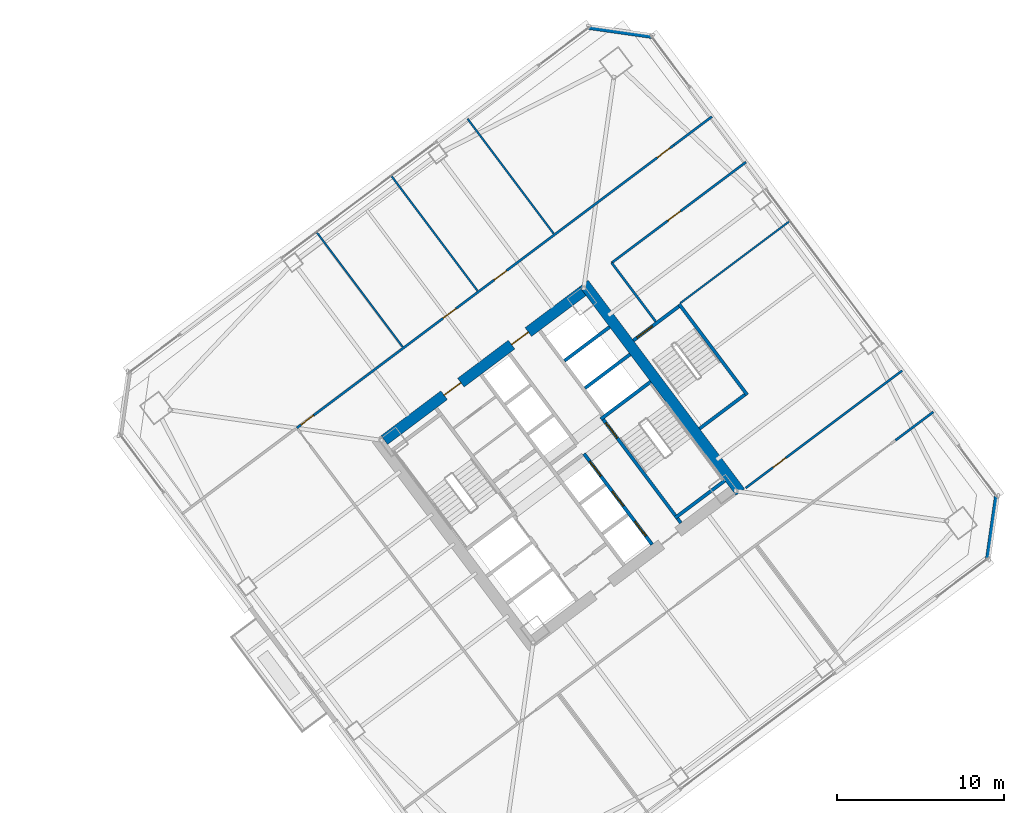
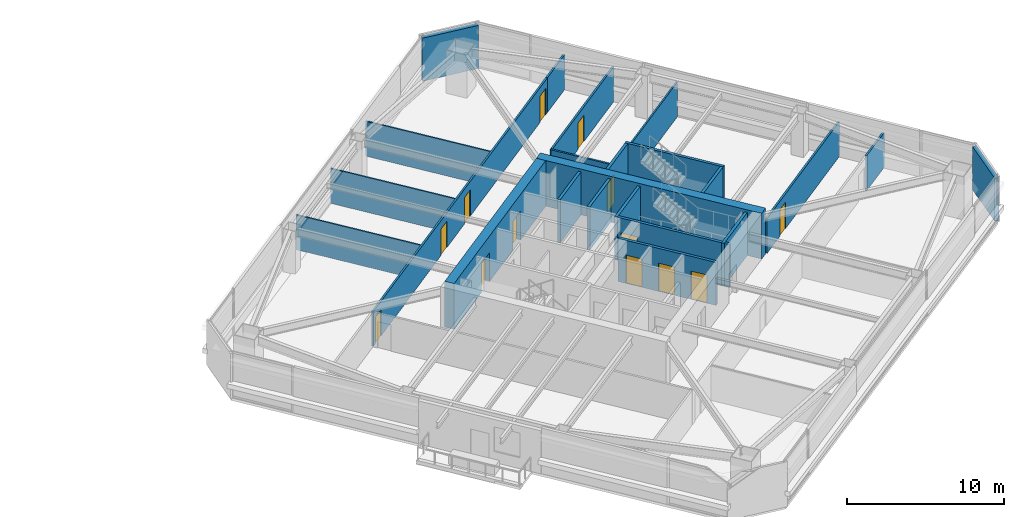
# One storey, part 36 of 44: 23 walls, 13 doors, 13 openings.
"""IFC4 building model written with IfcOpenShell, lengths in metres."""

from ifc_helpers import new_model, si_unit, direction, frame, frame_2d, origin, place, context, subcontext, project, spatial, rectangle, extrude, material, layer, layer_set, type_object, element, fill, save


model = new_model("IFC4")

# Units and contexts
model_context = context("Model", 3, precision=1e-05, world=origin(), true_north=direction((0.0, 1.0)))
body_context = subcontext(model_context, "Body", "Model", "MODEL_VIEW")
ifc_project = project(units=[si_unit("LENGTHUNIT", "METRE"), si_unit("AREAUNIT", "SQUARE_METRE"), si_unit("VOLUMEUNIT", "CUBIC_METRE"), si_unit("PLANEANGLEUNIT", "RADIAN"), si_unit("MASSUNIT", "GRAM", prefix="KILO")], contexts=[model_context])

# Site, building, storey
site_placement = place(None, origin())
site = spatial("IfcSite", under=ifc_project, at=site_placement, CompositionType="ELEMENT")
building_placement = place(site_placement, origin())
building = spatial("IfcBuilding", under=site, at=building_placement, Name="Tashvorn Skyway Center", CompositionType="ELEMENT")
storey_placement = place(building_placement, frame((0.0, 0.0, 84.949951171875)))
storey = spatial("IfcBuildingStorey", under=building, at=storey_placement, Name="L22", CompositionType="ELEMENT", Elevation=84.949951171875)

# Wall
ifc_material_1 = material(Name="Concrete C60/75", Category="concrete")
ifc_layer_1 = layer(ifc_material_1, 0.64990234375)
ifc_layer_set_1 = layer_set([ifc_layer_1], Name="Concrete C60/75")
wall_type_1 = type_object("IfcWallType", Name="WALL-CORE-650", PredefinedType="SHEAR", material=ifc_layer_set_1)
wall_1_placement = place(storey_placement, frame((115.52392578125, 42.89306640625, 0.0), z_axis=(0.0, 0.0, 1.0), x_axis=(0.600005007985, -0.799996243986, 0.0)))
element("IfcWall", 1, at=wall_1_placement, inside=storey, type_object=wall_type_1, Name="Tower 2 L22 East Core Shear Wall", PredefinedType="SHEAR", context=body_context, shape_type="SweptSolid", body=[
    extrude(rectangle(XDim=15.60009765625, YDim=0.64990234375, at=frame_2d((7.800048828125, 0.0))), origin(), (0.0, 0.0, 1.0), 3.550048828125),
])

# Wall, openings, doors
wall_2_placement = place(storey_placement, frame((103.571044921875, 33.52197265625, 0.0), z_axis=(0.0, 0.0, 1.0), x_axis=(0.799998028465, 0.600002628705, 0.0)))
wall_2 = element("IfcWall", 2, at=wall_2_placement, inside=storey, type_object=wall_type_1, Name="Tower 2 L22 North Core Shear Wall", PredefinedType="SHEAR", context=body_context, shape_type="SweptSolid", body=[
    extrude(rectangle(XDim=14.85986328125, YDim=0.64990234375, at=frame_2d((7.429931640625, 0.0))), origin(), (0.0, 0.0, 1.0), 3.550048828125),
])
opening_1_placement = place(wall_2_placement, frame((4.47998046875, 0.0, 0.0)))
opening_1 = element("IfcOpeningElement", 3, at=opening_1_placement, cuts=wall_2, Name="Opening D-FFL-1250", PredefinedType="OPENING", context=body_context, shape_type="SweptSolid", body=[
    extrude(rectangle(XDim=1.25, YDim=2.25, at=frame_2d((0.625, 1.125))), frame((0.0, 0.3349609375, 0.0), z_axis=(0.0, -1.0, 0.0), x_axis=(1.0, 0.0, 0.0)), (0.0, 0.0, 1.0), 0.669921875),
])
opening_2_placement = place(wall_2_placement, frame((9.530029296875, 0.0, 0.0)))
opening_2 = element("IfcOpeningElement", 4, at=opening_2_placement, cuts=wall_2, Name="Opening D-FFL-1250", PredefinedType="OPENING", context=body_context, shape_type="SweptSolid", body=[
    extrude(rectangle(XDim=1.25, YDim=2.25, at=frame_2d((0.625, 1.125))), frame((0.0, 0.3349609375, 0.0), z_axis=(0.0, -1.0, 0.0), x_axis=(1.0, 0.0, 0.0)), (0.0, 0.0, 1.0), 0.669921875),
])
ifc_material_2 = material(Name="Hollow galvanized steel fire door assembly", Category="steel")
door_type_1 = type_object("IfcDoorType", Name="DOOR-FFL-1250", OperationType="NOTDEFINED", PredefinedType="DOOR", material=ifc_material_2)
door_1_placement = place(opening_1_placement, origin())
door_1 = element("IfcDoor", 5, at=door_1_placement, inside=storey, type_object=door_type_1, Name="Tower 2 L22 Core North Service Lobby Door", OperationType="SINGLE_SWING_LEFT", OverallHeight=2.25, OverallWidth=1.25, PredefinedType="DOOR", context=body_context, shape_type="SweptSolid", body=[
    extrude(rectangle(XDim=1.25, YDim=2.25, at=frame_2d((0.625, 1.125))), frame((0.0, 0.02490234375, 0.0), z_axis=(0.0, -1.0, 0.0), x_axis=(1.0, 0.0, 0.0)), (0.0, 0.0, 1.0), 0.050048828125),
])
fill(opening_1, door_1)
door_2_placement = place(opening_2_placement, origin())
door_2 = element("IfcDoor", 6, at=door_2_placement, inside=storey, type_object=door_type_1, Name="Tower 2 L22 Core North Lift Lobby Door", OperationType="SINGLE_SWING_RIGHT", OverallHeight=2.25, OverallWidth=1.25, PredefinedType="DOOR", context=body_context, shape_type="SweptSolid", body=[
    extrude(rectangle(XDim=1.25, YDim=2.25, at=frame_2d((0.625, 1.125))), frame((0.0, 0.02490234375, 0.0), z_axis=(0.0, -1.0, 0.0), x_axis=(1.0, 0.0, 0.0)), (0.0, 0.0, 1.0), 0.050048828125),
])
fill(opening_2, door_2)

# Walls
ifc_material_3 = material(Name="Precast concrete C40/50", Category="concrete")
ifc_layer_2 = layer(ifc_material_3, 0.280029296875)
ifc_layer_set_2 = layer_set([ifc_layer_2], Name="Precast concrete C40/50")
wall_type_2 = type_object("IfcWallType", Name="WALL-EXT-280", PredefinedType="SOLIDWALL", material=ifc_layer_set_2)
for number, where, z_axis, x_axis, name in (
    (7, (115.820068359375, 58.239990234375, 0.0), (0.0, 0.0, 1.0), (0.989948214866, -0.141430307517, 0.0), "Tower 2 L22 NE Precast Chamfer Wall"),
    (8, (140.239990234375, 30.179931640625, 0.0), (0.0, 0.0, 1.0), (-0.141430307517, -0.989948214866, 0.0), "Tower 2 L22 SE Precast Chamfer Wall"),
):
    element("IfcWall", number, at=place(storey_placement, frame(where, z_axis=z_axis, x_axis=x_axis)), inside=storey, type_object=wall_type_2, Name=name, PredefinedType="SOLIDWALL", context=body_context, shape_type="SweptSolid", body=[
        extrude(rectangle(XDim=3.818359375, YDim=0.280029296875, at=frame_2d((1.9091796875, 0.0))), origin(), (0.0, 0.0, 1.0), 3.35009765625),
    ])
ifc_material_4 = material(Name="Gypsum board on cold-formed steel stud framing", Category="steel")
ifc_layer_3 = layer(ifc_material_4, 0.110107421875)
ifc_layer_set_3 = layer_set([ifc_layer_3], Name="Gypsum board on cold-formed steel stud framing")
wall_type_3 = type_object("IfcWallType", Name="WALL-PART-110", PredefinedType="PARTITIONING", material=ifc_layer_set_3)
for number, where, z_axis, x_axis, name in (
    (9, (104.672119140625, 39.10400390625, 0.0), (0.0, 0.0, 1.0), (-0.60001816845, 0.79998637334, 0.0), "Tower 2 L22 North Suite Partition 1"),
    (10, (109.152099609375, 42.464111328125, 0.0), (0.0, 0.0, 1.0), (-0.60001816845, 0.79998637334, 0.0), "Tower 2 L22 North Suite Partition 2"),
):
    element("IfcWall", number, at=place(storey_placement, frame(where, z_axis=z_axis, x_axis=x_axis)), inside=storey, type_object=wall_type_3, Name=name, PredefinedType="PARTITIONING", context=body_context, shape_type="SweptSolid", body=[
        extrude(rectangle(XDim=8.60009765625, YDim=0.110107421875, at=frame_2d((4.300048828125, 0.0))), origin(), (0.0, 0.0, 1.0), 2.703125),
    ])
wall_3_placement = place(storey_placement, frame((113.7119140625, 45.884033203125, 0.0), z_axis=(0.0, 0.0, 1.0), x_axis=(-0.6, 0.8, 0.0)))
element("IfcWall", 11, at=wall_3_placement, inside=storey, type_object=wall_type_3, Name="Tower 2 L22 North Suite Partition 3", PredefinedType="PARTITIONING", context=body_context, shape_type="SweptSolid", body=[
    extrude(rectangle(XDim=8.599853515625, YDim=0.110107421875, at=frame_2d((4.2998046875, 0.0))), origin(), (0.0, 0.0, 1.0), 2.703125),
])
wall_4_placement = place(storey_placement, frame((127.864013671875, 46.64794921875, 0.0), z_axis=(0.0, 0.0, 1.0), x_axis=(-0.800007145523, -0.599990472518, 0.0)))
element("IfcWall", 12, at=wall_4_placement, inside=storey, type_object=wall_type_3, Name="Tower 2 L22 East Suite Partition 1", PredefinedType="PARTITIONING", context=body_context, shape_type="SweptSolid", body=[
    extrude(rectangle(XDim=8.199951171875, YDim=0.110107421875, at=frame_2d((4.10009765625, 0.0))), origin(), (0.0, 0.0, 1.0), 2.703125),
])
ifc_layer_4 = layer(ifc_material_4, 0.135009765625)
ifc_layer_set_4 = layer_set([ifc_layer_4], Name="Gypsum board on cold-formed steel stud framing")
wall_type_4 = type_object("IfcWallType", Name="WALL-PART-135", PredefinedType="PARTITIONING", material=ifc_layer_set_4)
wall_5_placement = place(storey_placement, frame((119.823974609375, 40.617919921875, 0.0), z_axis=(0.0, 0.0, 1.0), x_axis=(-0.599982243973, 0.800013316712, 0.0)))
element("IfcWall", 13, at=wall_5_placement, inside=storey, type_object=wall_type_4, Name="Tower 2 L22 Stair 3 Access Corridor Wall", PredefinedType="PARTITIONING", context=body_context, shape_type="SweptSolid", body=[
    extrude(rectangle(XDim=4.39990234375, YDim=0.135009765625, at=frame_2d((2.199951171875, 0.0))), origin(), (0.0, 0.0, 1.0), 2.703125),
])

# Wall, openings, doors
wall_6_placement = place(storey_placement, frame((98.3359375, 34.251953125, 0.0), z_axis=(0.0, 0.0, 1.0), x_axis=(0.8, 0.6, 0.0)))
wall_6 = element("IfcWall", 14, at=wall_6_placement, inside=storey, type_object=wall_type_4, Name="Tower 2 L22 North Suite Wall", PredefinedType="PARTITIONING", context=body_context, shape_type="SweptSolid", body=[
    extrude(rectangle(XDim=28.22998046875, YDim=0.135009765625, at=frame_2d((14.114990234375, 0.0))), origin(), (0.0, 0.0, 1.0), 2.703125),
])
opening_3_placement = place(wall_6_placement, frame((0.300048828125, 0.0, 0.0)))
opening_3 = element("IfcOpeningElement", 15, at=opening_3_placement, cuts=wall_6, Name="Opening D-INT-950", PredefinedType="OPENING", context=body_context, shape_type="SweptSolid", body=[
    extrude(rectangle(XDim=0.949951171875, YDim=2.050048828125, at=frame_2d((0.47509765625, 1.02490234375))), frame((0.0, 0.077392578125, 0.0), z_axis=(0.0, -1.0, 0.0), x_axis=(1.0, 0.0, 0.0)), (0.0, 0.0, 1.0), 0.155029296875),
])
opening_4_placement = place(wall_6_placement, frame((10.953369140625, 0.0, 0.0)))
opening_4 = element("IfcOpeningElement", 16, at=opening_4_placement, cuts=wall_6, Name="Opening D-INT-950", PredefinedType="OPENING", context=body_context, shape_type="SweptSolid", body=[
    extrude(rectangle(XDim=0.949951171875, YDim=2.050048828125, at=frame_2d((0.47509765625, 1.02490234375))), frame((0.0, 0.077392578125, 0.0), z_axis=(0.0, -1.0, 0.0), x_axis=(1.0, 0.0, 0.0)), (0.0, 0.0, 1.0), 0.155029296875),
])
opening_5_placement = place(wall_6_placement, frame((14.758056640625, 0.0, 0.0)))
opening_5 = element("IfcOpeningElement", 17, at=opening_5_placement, cuts=wall_6, Name="Opening D-INT-950", PredefinedType="OPENING", context=body_context, shape_type="SweptSolid", body=[
    extrude(rectangle(XDim=0.949951171875, YDim=2.050048828125, at=frame_2d((0.47509765625, 1.02490234375))), frame((0.0, 0.077392578125, 0.0), z_axis=(0.0, -1.0, 0.0), x_axis=(1.0, 0.0, 0.0)), (0.0, 0.0, 1.0), 0.155029296875),
])
opening_6_placement = place(wall_6_placement, frame((26.97998046875, 0.0, 0.0)))
opening_6 = element("IfcOpeningElement", 18, at=opening_6_placement, cuts=wall_6, Name="Opening D-INT-950", PredefinedType="OPENING", context=body_context, shape_type="SweptSolid", body=[
    extrude(rectangle(XDim=0.949951171875, YDim=2.050048828125, at=frame_2d((0.47509765625, 1.02490234375))), frame((0.0, 0.077392578125, 0.0), z_axis=(0.0, -1.0, 0.0), x_axis=(1.0, 0.0, 0.0)), (0.0, 0.0, 1.0), 0.155029296875),
])
ifc_material_5 = material(Name="Solid-core architectural oak veneer door")
door_type_2 = type_object("IfcDoorType", Name="DOOR-INT-950", OperationType="NOTDEFINED", PredefinedType="DOOR", material=ifc_material_5)
door_3_placement = place(opening_3_placement, origin())
door_3 = element("IfcDoor", 19, at=door_3_placement, inside=storey, type_object=door_type_2, Name="Tower 2 L22 Research Library Door", OperationType="SINGLE_SWING_RIGHT", OverallHeight=2.050048828125, OverallWidth=0.949951171875, PredefinedType="DOOR", context=body_context, shape_type="SweptSolid", body=[
    extrude(rectangle(XDim=0.949951171875, YDim=2.050048828125, at=frame_2d((0.47509765625, 1.02490234375))), frame((0.0, 0.02490234375, 0.0), z_axis=(0.0, -1.0, 0.0), x_axis=(1.0, 0.0, 0.0)), (0.0, 0.0, 1.0), 0.050048828125),
])
fill(opening_3, door_3)
door_4_placement = place(opening_4_placement, origin())
door_4 = element("IfcDoor", 20, at=door_4_placement, inside=storey, type_object=door_type_2, Name="Tower 2 L22 Research Library Door", OperationType="SINGLE_SWING_LEFT", OverallHeight=2.050048828125, OverallWidth=0.949951171875, PredefinedType="DOOR", context=body_context, shape_type="SweptSolid", body=[
    extrude(rectangle(XDim=0.949951171875, YDim=2.050048828125, at=frame_2d((0.47509765625, 1.02490234375))), frame((0.0, 0.02490234375, 0.0), z_axis=(0.0, -1.0, 0.0), x_axis=(1.0, 0.0, 0.0)), (0.0, 0.0, 1.0), 0.050048828125),
])
fill(opening_4, door_4)
door_5_placement = place(opening_5_placement, origin())
door_5 = element("IfcDoor", 21, at=door_5_placement, inside=storey, type_object=door_type_2, Name="Tower 2 L22 Security Control Room Door", OperationType="SINGLE_SWING_RIGHT", OverallHeight=2.050048828125, OverallWidth=0.949951171875, PredefinedType="DOOR", context=body_context, shape_type="SweptSolid", body=[
    extrude(rectangle(XDim=0.949951171875, YDim=2.050048828125, at=frame_2d((0.47509765625, 1.02490234375))), frame((0.0, 0.02490234375, 0.0), z_axis=(0.0, -1.0, 0.0), x_axis=(1.0, 0.0, 0.0)), (0.0, 0.0, 1.0), 0.050048828125),
])
fill(opening_5, door_5)
door_6_placement = place(opening_6_placement, origin())
door_6 = element("IfcDoor", 22, at=door_6_placement, inside=storey, type_object=door_type_2, Name="Tower 2 L22 Research Library Door", OperationType="SINGLE_SWING_LEFT", OverallHeight=2.050048828125, OverallWidth=0.949951171875, PredefinedType="DOOR", context=body_context, shape_type="SweptSolid", body=[
    extrude(rectangle(XDim=0.949951171875, YDim=2.050048828125, at=frame_2d((0.47509765625, 1.02490234375))), frame((0.0, 0.02490234375, 0.0), z_axis=(0.0, -1.0, 0.0), x_axis=(1.0, 0.0, 0.0)), (0.0, 0.0, 1.0), 0.050048828125),
])
fill(opening_6, door_6)

# Walls
for number, where, z_axis, x_axis, name in (
    (23, (120.919921875, 51.18994140625, 0.0), (0.0, 0.0, 1.0), (0.8000207031, 0.599972394874, 0.0), "Tower 2 L22 North-East Suite South Wall"),
    (24, (134.179931640625, 33.510009765625, 0.0), (0.0, 0.0, 1.0), (0.8000207031, 0.599972394874, 0.0), "Tower 2 L22 South-East Suite North Wall"),
):
    element("IfcWall", number, at=place(storey_placement, frame(where, z_axis=z_axis, x_axis=x_axis)), inside=storey, type_object=wall_type_4, Name=name, PredefinedType="PARTITIONING", context=body_context, shape_type="SweptSolid", body=[
        extrude(rectangle(XDim=2.830078125, YDim=0.135009765625, at=frame_2d((1.4150390625, 0.0))), origin(), (0.0, 0.0, 1.0), 2.703125),
    ])

# Wall, opening, door
wall_7_placement = place(storey_placement, frame((125.22412109375, 50.16796875, 0.0), z_axis=(0.0, 0.0, 1.0), x_axis=(-0.8, -0.6, 0.0)))
wall_7 = element("IfcWall", 25, at=wall_7_placement, inside=storey, type_object=wall_type_4, Name="Tower 2 L22 East Suite North Wall", PredefinedType="PARTITIONING", context=body_context, shape_type="SweptSolid", body=[
    extrude(rectangle(XDim=10.050048828125, YDim=0.135009765625, at=frame_2d((5.02490234375, 0.0))), origin(), (0.0, 0.0, 1.0), 2.703125),
])
opening_7_placement = place(wall_7_placement, frame((4.89990234375, 0.0, 0.0)))
opening_7 = element("IfcOpeningElement", 26, at=opening_7_placement, cuts=wall_7, Name="Opening D-INT-950", PredefinedType="OPENING", context=body_context, shape_type="SweptSolid", body=[
    extrude(rectangle(XDim=0.949951171875, YDim=2.050048828125, at=frame_2d((0.47509765625, 1.02490234375))), frame((0.0, 0.077392578125, 0.0), z_axis=(0.0, -1.0, 0.0), x_axis=(1.0, 0.0, 0.0)), (0.0, 0.0, 1.0), 0.155029296875),
])
door_7_placement = place(opening_7_placement, origin())
door_7 = element("IfcDoor", 27, at=door_7_placement, inside=storey, type_object=door_type_2, Name="Tower 2 L22 Research Library Door", OperationType="SINGLE_SWING_LEFT", OverallHeight=2.050048828125, OverallWidth=0.949951171875, PredefinedType="DOOR", context=body_context, shape_type="SweptSolid", body=[
    extrude(rectangle(XDim=0.949951171875, YDim=2.050048828125, at=frame_2d((0.47509765625, 1.02490234375))), frame((0.0, 0.02490234375, 0.0), z_axis=(0.0, -1.0, 0.0), x_axis=(1.0, 0.0, 0.0)), (0.0, 0.0, 1.0), 0.050048828125),
])
fill(opening_7, door_7)

wall_8_placement = place(storey_placement, frame((125.2080078125, 30.656005859375, 0.0), z_axis=(0.0, 0.0, 1.0), x_axis=(0.8, 0.6, 0.0)))
wall_8 = element("IfcWall", 28, at=wall_8_placement, inside=storey, type_object=wall_type_4, Name="Tower 2 L22 East Suite South Wall", PredefinedType="PARTITIONING", context=body_context, shape_type="SweptSolid", body=[
    extrude(rectangle(XDim=11.719970703125, YDim=0.135009765625, at=frame_2d((5.85986328125, 0.0))), origin(), (0.0, 0.0, 1.0), 2.703125),
])
opening_8_placement = place(wall_8_placement, frame((2.044921875, 0.0, 0.0)))
opening_8 = element("IfcOpeningElement", 29, at=opening_8_placement, cuts=wall_8, Name="Opening D-INT-950", PredefinedType="OPENING", context=body_context, shape_type="SweptSolid", body=[
    extrude(rectangle(XDim=0.949951171875, YDim=2.050048828125, at=frame_2d((0.47509765625, 1.02490234375))), frame((0.0, 0.077392578125, 0.0), z_axis=(0.0, -1.0, 0.0), x_axis=(1.0, 0.0, 0.0)), (0.0, 0.0, 1.0), 0.155029296875),
])
door_8_placement = place(opening_8_placement, origin())
door_8 = element("IfcDoor", 30, at=door_8_placement, inside=storey, type_object=door_type_2, Name="Tower 2 L22 Public Restroom Door", OperationType="SINGLE_SWING_RIGHT", OverallHeight=2.050048828125, OverallWidth=0.949951171875, PredefinedType="DOOR", context=body_context, shape_type="SweptSolid", body=[
    extrude(rectangle(XDim=0.949951171875, YDim=2.050048828125, at=frame_2d((0.47509765625, 1.02490234375))), frame((0.0, 0.02490234375, 0.0), z_axis=(0.0, -1.0, 0.0), x_axis=(1.0, 0.0, 0.0)), (0.0, 0.0, 1.0), 0.050048828125),
])
fill(opening_8, door_8)

# Walls
ifc_material_6 = material(Name="Concrete C40/50", Category="concrete")
ifc_layer_5 = layer(ifc_material_6, 0.199951171875)
ifc_layer_set_5 = layer_set([ifc_layer_5], Name="Concrete C40/50")
wall_type_5 = type_object("IfcWallType", Name="WALL-SHAFT-200", PredefinedType="SOLIDWALL", material=ifc_layer_set_5)
for number, where, z_axis, x_axis, name in (
    (31, (115.590087890625, 36.6298828125, 0.0), (0.0, 0.0, 1.0), (0.799973995579, 0.600034670996, 0.0), "Tower 2 L22 High-Rise Shaft Divider"),
    (32, (114.360107421875, 38.27001953125, 0.0), (0.0, 0.0, 1.0), (0.799973995579, 0.600034670996, 0.0), "Tower 2 L22 High-Rise Shaft Divider"),
):
    element("IfcWall", number, at=place(storey_placement, frame(where, z_axis=z_axis, x_axis=x_axis)), inside=storey, type_object=wall_type_5, Name=name, PredefinedType="SOLIDWALL", context=body_context, shape_type="SweptSolid", body=[
        extrude(rectangle(XDim=3.3798828125, YDim=0.199951171875, at=frame_2d((1.68994140625, 0.0))), origin(), (0.0, 0.0, 1.0), 3.35009765625),
    ])

# Wall, openings, doors
wall_9_placement = place(storey_placement, frame((119.610107421875, 27.27001953125, 0.0), z_axis=(0.0, 0.0, 1.0), x_axis=(-0.600011488909, 0.79999138319, 0.0)))
wall_9 = element("IfcWall", 33, at=wall_9_placement, inside=storey, type_object=wall_type_5, Name="Tower 2 L22 Low-Rise Core Wall", PredefinedType="SOLIDWALL", context=body_context, shape_type="SweptSolid", body=[
    extrude(rectangle(XDim=6.800048828125, YDim=0.199951171875, at=frame_2d((3.39990234375, 0.0))), origin(), (0.0, 0.0, 1.0), 3.35009765625),
])
opening_9_placement = place(wall_9_placement, frame((0.625, 0.0, 0.0)))
opening_9 = element("IfcOpeningElement", 34, at=opening_9_placement, cuts=wall_9, Name="Opening LD-LR-T2-1-L22", PredefinedType="OPENING", context=body_context, shape_type="SweptSolid", body=[
    extrude(rectangle(XDim=1.10009765625, YDim=2.199951171875, at=frame_2d((0.550048828125, 1.10009765625))), frame((0.0, 0.10986328125, 0.0), z_axis=(0.0, -1.0, 0.0), x_axis=(1.0, 0.0, 0.0)), (0.0, 0.0, 1.0), 0.219970703125),
])
opening_10_placement = place(wall_9_placement, frame((2.875, 0.0, 0.0)))
opening_10 = element("IfcOpeningElement", 35, at=opening_10_placement, cuts=wall_9, Name="Opening LD-LR-T2-2-L22", PredefinedType="OPENING", context=body_context, shape_type="SweptSolid", body=[
    extrude(rectangle(XDim=1.10009765625, YDim=2.199951171875, at=frame_2d((0.550048828125, 1.10009765625))), frame((0.0, 0.10986328125, 0.0), z_axis=(0.0, -1.0, 0.0), x_axis=(1.0, 0.0, 0.0)), (0.0, 0.0, 1.0), 0.219970703125),
])
opening_11_placement = place(wall_9_placement, frame((5.125, 0.0, 0.0)))
opening_11 = element("IfcOpeningElement", 36, at=opening_11_placement, cuts=wall_9, Name="Opening LD-LR-T2-3-L22", PredefinedType="OPENING", context=body_context, shape_type="SweptSolid", body=[
    extrude(rectangle(XDim=1.10009765625, YDim=2.199951171875, at=frame_2d((0.550048828125, 1.10009765625))), frame((0.0, 0.10986328125, 0.0), z_axis=(0.0, -1.0, 0.0), x_axis=(1.0, 0.0, 0.0)), (0.0, 0.0, 1.0), 0.219970703125),
])
ifc_material_7 = material(Name="Stainless steel landing door", Category="steel")
door_type_3 = type_object("IfcDoorType", Name="DOOR-LIFT-1100", OperationType="SLIDING_TO_LEFT", PredefinedType="DOOR", material=ifc_material_7)
door_9_placement = place(opening_9_placement, origin())
door_9 = element("IfcDoor", 37, at=door_9_placement, inside=storey, type_object=door_type_3, Name="Lift LR-T2-1 L22 Landing Door", OperationType="SLIDING_TO_LEFT", OverallHeight=2.199951171875, OverallWidth=1.10009765625, PredefinedType="DOOR", context=body_context, shape_type="SweptSolid", body=[
    extrude(rectangle(XDim=1.10009765625, YDim=2.199951171875, at=frame_2d((0.550048828125, 1.10009765625))), frame((0.0, 0.02490234375, 0.0), z_axis=(0.0, -1.0, 0.0), x_axis=(1.0, 0.0, 0.0)), (0.0, 0.0, 1.0), 0.050048828125),
])
fill(opening_9, door_9)
door_10_placement = place(opening_10_placement, origin())
door_10 = element("IfcDoor", 38, at=door_10_placement, inside=storey, type_object=door_type_3, Name="Lift LR-T2-2 L22 Landing Door", OperationType="SLIDING_TO_LEFT", OverallHeight=2.199951171875, OverallWidth=1.10009765625, PredefinedType="DOOR", context=body_context, shape_type="SweptSolid", body=[
    extrude(rectangle(XDim=1.10009765625, YDim=2.199951171875, at=frame_2d((0.550048828125, 1.10009765625))), frame((0.0, 0.02490234375, 0.0), z_axis=(0.0, -1.0, 0.0), x_axis=(1.0, 0.0, 0.0)), (0.0, 0.0, 1.0), 0.050048828125),
])
fill(opening_10, door_10)
door_11_placement = place(opening_11_placement, origin())
door_11 = element("IfcDoor", 39, at=door_11_placement, inside=storey, type_object=door_type_3, Name="Lift LR-T2-3 L22 Landing Door", OperationType="SLIDING_TO_LEFT", OverallHeight=2.199951171875, OverallWidth=1.10009765625, PredefinedType="DOOR", context=body_context, shape_type="SweptSolid", body=[
    extrude(rectangle(XDim=1.10009765625, YDim=2.199951171875, at=frame_2d((0.550048828125, 1.10009765625))), frame((0.0, 0.02490234375, 0.0), z_axis=(0.0, -1.0, 0.0), x_axis=(1.0, 0.0, 0.0)), (0.0, 0.0, 1.0), 0.050048828125),
])
fill(opening_11, door_11)

# Wall, opening, door
ifc_layer_6 = layer(ifc_material_6, 0.199951171875)
ifc_layer_set_6 = layer_set([ifc_layer_6], Name="Concrete C40/50")
wall_type_6 = type_object("IfcWallType", Name="WALL-STSHF-200", PredefinedType="SHEAR", material=ifc_layer_set_6)
wall_10_placement = place(storey_placement, frame((116.56005859375, 34.919921875, 0.0), z_axis=(0.0, 0.0, 1.0), x_axis=(0.600009827119, -0.799992629566, 0.0)))
wall_10 = element("IfcWall", 40, at=wall_10_placement, inside=storey, type_object=wall_type_6, Name="Tower 2 L22 Stair 2 Enclosure Wall", PredefinedType="SHEAR", context=body_context, shape_type="SweptSolid", body=[
    extrude(rectangle(XDim=7.949951171875, YDim=0.199951171875, at=frame_2d((3.97509765625, 0.0))), origin(), (0.0, 0.0, 1.0), 3.35009765625),
])
opening_12_placement = place(wall_10_placement, frame((0.449951171875, 0.0, 0.0)))
opening_12 = element("IfcOpeningElement", 41, at=opening_12_placement, cuts=wall_10, Name="Opening D-ST-1150", PredefinedType="OPENING", context=body_context, shape_type="SweptSolid", body=[
    extrude(rectangle(XDim=1.14990234375, YDim=2.199951171875, at=frame_2d((0.574951171875, 1.10009765625))), frame((0.0, 0.10986328125, 0.0), z_axis=(0.0, -1.0, 0.0), x_axis=(1.0, 0.0, 0.0)), (0.0, 0.0, 1.0), 0.219970703125),
])
door_type_4 = type_object("IfcDoorType", Name="DOOR-STAIR-1150", OperationType="NOTDEFINED", PredefinedType="DOOR", material=ifc_material_2)
door_12_placement = place(opening_12_placement, origin())
door_12 = element("IfcDoor", 42, at=door_12_placement, inside=storey, type_object=door_type_4, Name="Tower 2 L22 Exit Stair 2 Door", OperationType="SINGLE_SWING_RIGHT", OverallHeight=2.199951171875, OverallWidth=1.14990234375, PredefinedType="DOOR", context=body_context, shape_type="SweptSolid", body=[
    extrude(rectangle(XDim=1.14990234375, YDim=2.199951171875, at=frame_2d((0.574951171875, 1.10009765625))), frame((0.0, 0.02490234375, 0.0), z_axis=(0.0, -1.0, 0.0), x_axis=(1.0, 0.0, 0.0)), (0.0, 0.0, 1.0), 0.050048828125),
])
fill(opening_12, door_12)

# Walls
for number, where, z_axis, x_axis, name in (
    (43, (116.5400390625, 34.780029296875, 0.0), (0.0, 0.0, 1.0), (0.799984290658, 0.600020945218, 0.0), "Tower 2 L22 Stair 2 North Wall"),
    (44, (120.97998046875, 28.860107421875, 0.0), (0.0, 0.0, 1.0), (0.800039270442, 0.59994763584, 0.0), "Tower 2 L22 Stair 2 South Wall"),
):
    element("IfcWall", number, at=place(storey_placement, frame(where, z_axis=z_axis, x_axis=x_axis)), inside=storey, type_object=wall_type_6, Name=name, PredefinedType="SHEAR", context=body_context, shape_type="SweptSolid", body=[
        extrude(rectangle(XDim=3.72998046875, YDim=0.199951171875, at=frame_2d((1.864990234375, 0.0))), origin(), (0.0, 0.0, 1.0), 3.35009765625),
    ])
wall_11_placement = place(storey_placement, frame((125.303955078125, 36.22802734375, 0.0), z_axis=(0.0, 0.0, 1.0), x_axis=(-0.59998851072, 0.800008616831, 0.0)))
element("IfcWall", 45, at=wall_11_placement, inside=storey, type_object=wall_type_6, Name="Tower 2 L22 Stair 3 Outer Wall", PredefinedType="SHEAR", context=body_context, shape_type="SweptSolid", body=[
    extrude(rectangle(XDim=6.7998046875, YDim=0.199951171875, at=frame_2d((3.39990234375, 0.0))), origin(), (0.0, 0.0, 1.0), 3.35009765625),
])

# Wall, opening, door
wall_12_placement = place(storey_placement, frame((121.2041015625, 41.528076171875, 0.0), z_axis=(0.0, 0.0, 1.0), x_axis=(-0.800017232136, -0.599977023131, 0.0)))
wall_12 = element("IfcWall", 46, at=wall_12_placement, inside=storey, type_object=wall_type_6, Name="Tower 2 L22 Stair 3 Enclosure Wall", PredefinedType="SHEAR", context=body_context, shape_type="SweptSolid", body=[
    extrude(rectangle(XDim=3.400146484375, YDim=0.199951171875, at=frame_2d((1.7001953125, 0.0))), origin(), (0.0, 0.0, 1.0), 3.35009765625),
])
opening_13_placement = place(wall_12_placement, frame((1.97509765625, 0.0, 0.0)))
opening_13 = element("IfcOpeningElement", 47, at=opening_13_placement, cuts=wall_12, Name="Opening D-ST-1150", PredefinedType="OPENING", context=body_context, shape_type="SweptSolid", body=[
    extrude(rectangle(XDim=1.14990234375, YDim=2.199951171875, at=frame_2d((0.574951171875, 1.10009765625))), frame((0.0, 0.10986328125, 0.0), z_axis=(0.0, -1.0, 0.0), x_axis=(1.0, 0.0, 0.0)), (0.0, 0.0, 1.0), 0.219970703125),
])
door_13_placement = place(opening_13_placement, origin())
door_13 = element("IfcDoor", 48, at=door_13_placement, inside=storey, type_object=door_type_4, Name="Tower 2 L22 Exit Stair 3 Door", OperationType="SINGLE_SWING_RIGHT", OverallHeight=2.199951171875, OverallWidth=1.14990234375, PredefinedType="DOOR", context=body_context, shape_type="SweptSolid", body=[
    extrude(rectangle(XDim=1.14990234375, YDim=2.199951171875, at=frame_2d((0.574951171875, 1.10009765625))), frame((0.0, 0.02490234375, 0.0), z_axis=(0.0, -1.0, 0.0), x_axis=(1.0, 0.0, 0.0)), (0.0, 0.0, 1.0), 0.050048828125),
])
fill(opening_13, door_13)

# Wall
wall_13_placement = place(storey_placement, frame((122.444091796875, 34.2080078125, 0.0), z_axis=(0.0, 0.0, 1.0), x_axis=(0.79999138319, 0.600011488909, 0.0)))
element("IfcWall", 49, at=wall_13_placement, inside=storey, type_object=wall_type_6, Name="Tower 2 L22 Stair 3 South Wall", PredefinedType="SHEAR", context=body_context, shape_type="SweptSolid", body=[
    extrude(rectangle(XDim=3.39990234375, YDim=0.199951171875, at=frame_2d((1.699951171875, 0.0))), origin(), (0.0, 0.0, 1.0), 3.35009765625),
])

save(model, "model.ifc")
